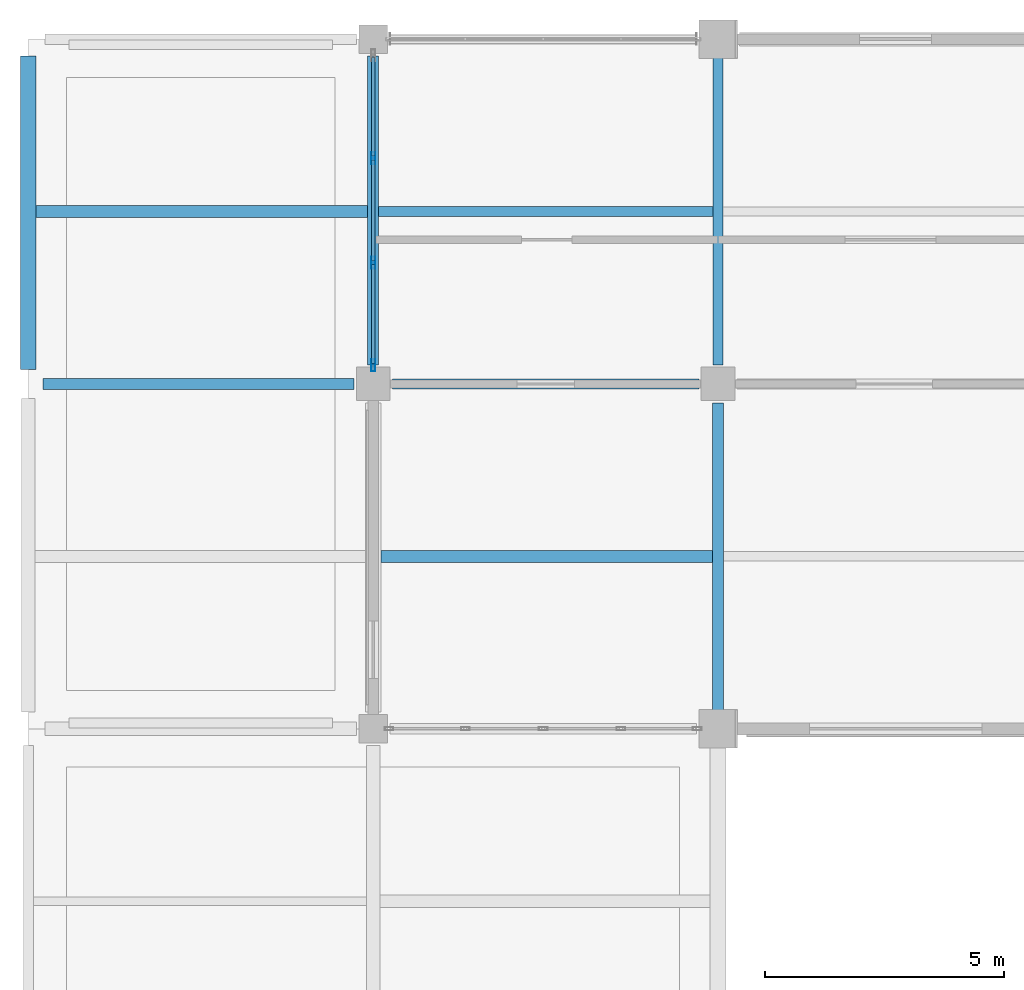
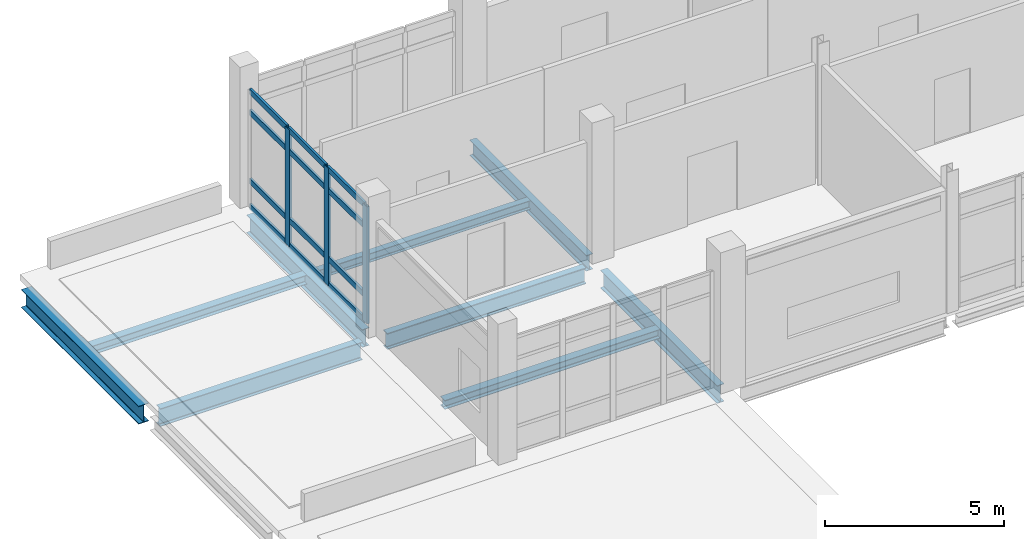
# One storey, part 82 of 186: 15 members, 9 beams, 1 element without a shape of its own.
"""IFC4 building model written with IfcOpenShell, lengths in metres."""

from ifc_helpers import new_model, si_unit, direction, frame, origin, origin_2d, place, context, subcontext, project, spatial, hollow_rectangle, i_section, extrude, material, layer, layer_set, material_profile, profile_set, type_object, element, aggregate, save


model = new_model("IFC4")

# Units and contexts
model_context = context("Model", 3, precision=1e-05, world=origin(), true_north=direction((0.0, 1.0)))
body_context = subcontext(model_context, "Body", "Model", "MODEL_VIEW")
ifc_project = project(units=[si_unit("LENGTHUNIT", "METRE"), si_unit("AREAUNIT", "SQUARE_METRE"), si_unit("VOLUMEUNIT", "CUBIC_METRE"), si_unit("PLANEANGLEUNIT", "RADIAN"), si_unit("MASSUNIT", "GRAM", prefix="KILO")], contexts=[model_context])

# Site, building, storey
site_placement = place(None, origin())
site = spatial("IfcSite", under=ifc_project, at=site_placement, CompositionType="ELEMENT")
building_placement = place(site_placement, origin())
building = spatial("IfcBuilding", under=site, at=building_placement, Name="Calvrana Isthmian Art Gallery", CompositionType="ELEMENT")
storey_placement = place(building_placement, frame((0.0, 0.0, 5.39990234375)))
storey = spatial("IfcBuildingStorey", under=building, at=storey_placement, Name="L01", CompositionType="ELEMENT", Elevation=5.39990234375)

# Beams
ifc_material_1 = material(Name="Steel ASTM A992 Gr 50", Category="steel")
ifc_material_profile_1 = material_profile(ifc_material_1, i_section(OverallWidth=0.208984375, OverallDepth=0.532958984375, WebThickness=0.01025390625, FlangeThickness=0.015625, FilletRadius=0.02099609375, at=origin_2d()), Name="W21X62")
ifc_profile_set_1 = profile_set([ifc_material_profile_1], Name="Steel ASTM A992 Gr 50")
beam_type_1 = type_object("IfcBeamType", Name="BM-G-W21X62", PredefinedType="BEAM", material=ifc_profile_set_1)
beam_1_placement = place(storey_placement, frame((14.39990234375, 106.0, -0.511474609375), z_axis=(0.0, 1.0, 0.0), x_axis=(-1.0, 0.0, 0.0)))
element("IfcBeam", 1, at=beam_1_placement, inside=storey, type_object=beam_type_1, Name="Girder Y L01 03/O-P", PredefinedType="BEAM", context=body_context, shape_type="SweptSolid", body=[
    extrude(i_section(OverallWidth=0.208984375, OverallDepth=0.532958984375, WebThickness=0.01025390625, FlangeThickness=0.015625, FilletRadius=0.02099609375, at=origin_2d()), origin(), (0.0, 0.0, 1.0), 6.5),
])
ifc_material_profile_2 = material_profile(ifc_material_1, i_section(OverallWidth=0.214111328125, OverallDepth=0.549072265625, WebThickness=0.0146484375, FlangeThickness=0.023681640625, FilletRadius=0.02099609375, at=origin_2d()), Name="W21X93")
ifc_profile_set_2 = profile_set([ifc_material_profile_2], Name="Steel ASTM A992 Gr 50")
beam_type_2 = type_object("IfcBeamType", Name="BM-G-W21X93", PredefinedType="BEAM", material=ifc_profile_set_2)
beam_2_placement = place(storey_placement, frame((7.60009765625, 105.60009765625, -0.519287109375), z_axis=(1.0, 0.0, 0.0), x_axis=(0.0, 1.0, 0.0)))
element("IfcBeam", 2, at=beam_2_placement, inside=storey, type_object=beam_type_2, Name="Girder X L01 02-03/O", PredefinedType="BEAM", context=body_context, shape_type="SweptSolid", body=[
    extrude(i_section(OverallWidth=0.214111328125, OverallDepth=0.549072265625, WebThickness=0.0146484375, FlangeThickness=0.023681640625, FilletRadius=0.02099609375, at=origin_2d()), origin(), (0.0, 0.0, 1.0), 6.39990234375),
])
ifc_material_profile_3 = material_profile(ifc_material_1, i_section(OverallWidth=0.324951171875, OverallDepth=0.612060546875, WebThickness=0.0126953125, FlangeThickness=0.01904296875, FilletRadius=0.02197265625, at=origin_2d()), Name="W24X104")
ifc_profile_set_3 = profile_set([ifc_material_profile_3], Name="Steel ASTM A992 Gr 50")
beam_type_3 = type_object("IfcBeamType", Name="BM-G-W24X104", PredefinedType="BEAM", material=ifc_profile_set_3)
beam_3_placement = place(storey_placement, frame((0.0, 105.89990234375, -0.55078125), z_axis=(0.0, 1.0, 0.0), x_axis=(-1.0, 0.0, 0.0)))
element("IfcBeam", 3, at=beam_3_placement, inside=storey, type_object=beam_type_3, Name="Girder Y L01 01/O-P", PredefinedType="BEAM", context=body_context, shape_type="SweptSolid", body=[
    extrude(i_section(OverallWidth=0.324951171875, OverallDepth=0.612060546875, WebThickness=0.0126953125, FlangeThickness=0.01904296875, FilletRadius=0.02197265625, at=origin_2d()), origin(), (0.0, 0.0, 1.0), 6.550048828125),
])
ifc_material_profile_4 = material_profile(ifc_material_1, i_section(OverallWidth=0.22802734375, OverallDepth=0.60693359375, WebThickness=0.01123046875, FlangeThickness=0.017333984375, FilletRadius=0.02197265625, at=origin_2d()), Name="W24X76")
ifc_profile_set_4 = profile_set([ifc_material_profile_4], Name="Steel ASTM A992 Gr 50")
beam_type_4 = type_object("IfcBeamType", Name="BM-G-W24X76", PredefinedType="BEAM", material=ifc_profile_set_4)
beam_4_placement = place(storey_placement, frame((0.300048828125, 105.60009765625, -0.54833984375), z_axis=(1.0, 0.0, 0.0), x_axis=(0.0, 1.0, 0.0)))
element("IfcBeam", 4, at=beam_4_placement, inside=storey, type_object=beam_type_4, Name="Girder X L01 01-02/O", PredefinedType="BEAM", context=body_context, shape_type="SweptSolid", body=[
    extrude(i_section(OverallWidth=0.22802734375, OverallDepth=0.60693359375, WebThickness=0.01123046875, FlangeThickness=0.017333984375, FilletRadius=0.02197265625, at=origin_2d()), origin(), (0.0, 0.0, 1.0), 6.5),
])
beam_5_placement = place(storey_placement, frame((7.199951171875, 106.0, -0.54833984375), z_axis=(0.0, 1.0, 0.0), x_axis=(-1.0, 0.0, 0.0)))
element("IfcBeam", 5, at=beam_5_placement, inside=storey, type_object=beam_type_4, Name="Girder Y L01 02/O-P", PredefinedType="BEAM", context=body_context, shape_type="SweptSolid", body=[
    extrude(i_section(OverallWidth=0.22802734375, OverallDepth=0.60693359375, WebThickness=0.01123046875, FlangeThickness=0.017333984375, FilletRadius=0.02197265625, at=origin_2d()), origin(), (0.0, 0.0, 1.0), 6.449951171875),
])
beam_6_placement = place(storey_placement, frame((14.39990234375, 98.699951171875, -0.54833984375), z_axis=(0.0, 1.0, 0.0), x_axis=(-1.0, 0.0, 0.0)))
element("IfcBeam", 6, at=beam_6_placement, inside=storey, type_object=beam_type_4, Name="Girder Y L01 03/N-O", PredefinedType="BEAM", context=body_context, shape_type="SweptSolid", body=[
    extrude(i_section(OverallWidth=0.22802734375, OverallDepth=0.60693359375, WebThickness=0.01123046875, FlangeThickness=0.017333984375, FilletRadius=0.02197265625, at=origin_2d()), origin(), (0.0, 0.0, 1.0), 6.5),
])
ifc_material_profile_5 = material_profile(ifc_material_1, i_section(OverallWidth=0.202880859375, OverallDepth=0.302001953125, WebThickness=0.007568359375, FlangeThickness=0.01318359375, FilletRadius=0.01611328125, at=origin_2d()), Name="W12X40")
ifc_profile_set_5 = profile_set([ifc_material_profile_5], Name="Steel ASTM A992 Gr 50")
beam_type_5 = type_object("IfcBeamType", Name="BM-J-W12X40", PredefinedType="JOIST", material=ifc_profile_set_5)
beam_7_placement = place(storey_placement, frame((7.31396484375, 109.199951171875, -0.39599609375), z_axis=(1.0, 0.0, 0.0), x_axis=(0.0, 1.0, 0.0)))
element("IfcBeam", 7, at=beam_7_placement, inside=storey, type_object=beam_type_5, Name="Composite joist L01 bay 01-14", PredefinedType="JOIST", context=body_context, shape_type="SweptSolid", body=[
    extrude(i_section(OverallWidth=0.202880859375, OverallDepth=0.302001953125, WebThickness=0.007568359375, FlangeThickness=0.01318359375, FilletRadius=0.01611328125, at=origin_2d()), origin(), (0.0, 0.0, 1.0), 6.9814453125),
])
ifc_material_profile_6 = material_profile(ifc_material_1, i_section(OverallWidth=0.25390625, OverallDepth=0.306884765625, WebThickness=0.0087890625, FlangeThickness=0.0146484375, FilletRadius=0.01611328125, at=origin_2d()), Name="W12X53")
ifc_profile_set_6 = profile_set([ifc_material_profile_6], Name="Steel ASTM A992 Gr 50")
beam_type_6 = type_object("IfcBeamType", Name="BM-J-W12X53", PredefinedType="JOIST", material=ifc_profile_set_6)
for number, where, z_axis, x_axis, name in (
    (8, (0.16259765625, 109.199951171875, -0.3984375), (1.0, 0.0, 0.0), (0.0, 1.0, 0.0), "Composite joist L01 bay 00-14"),
    (9, (7.362548828125, 102.0, -0.3984375), (1.0, 0.0, 0.0), (0.0, 1.0, 0.0), "Composite joist L01 bay 01-13"),
):
    element("IfcBeam", number, at=place(storey_placement, frame(where, z_axis=z_axis, x_axis=x_axis)), inside=storey, type_object=beam_type_6, Name=name, PredefinedType="JOIST", context=body_context, shape_type="SweptSolid", body=[
        extrude(i_section(OverallWidth=0.25390625, OverallDepth=0.306884765625, WebThickness=0.0087890625, FlangeThickness=0.0146484375, FilletRadius=0.01611328125, at=origin_2d()), origin(), (0.0, 0.0, 1.0), 6.92333984375),
    ])

# Curtain wall, members
ifc_material_2 = material(Name="Anodized bronze aluminium 6063-T6", Category="aluminium")
ifc_layer = layer(ifc_material_2, 0.179931640625, Name="Anodized bronze aluminium 6063-T6")
ifc_layer_set = layer_set([ifc_layer], Name="Anodized bronze aluminium 6063-T6")
curtain_wall_type = type_object("IfcCurtainWallType", Name="CW-STICK-065X40", PredefinedType="NOTDEFINED", material=ifc_layer_set)
curtain_wall_placement = place(storey_placement, origin())
curtain_wall = element("IfcCurtainWall", 10, at=curtain_wall_placement, inside=storey, type_object=curtain_wall_type, Name="Curtain wall CW-119", PredefinedType="NOTDEFINED")
ifc_material_profile_7 = material_profile(ifc_material_2, hollow_rectangle(XDim=0.080078125, YDim=0.25, WallThickness=0.005615234375, at=origin_2d()), Name="CWM80X250")
ifc_profile_set_7 = profile_set([ifc_material_profile_7], Name="Anodized bronze aluminium 6063-T6")
member_type_1 = type_object("IfcMemberType", Name="CWM-CWM80X250", PredefinedType="MULLION", material=ifc_profile_set_7)
member_1_placement = place(storey_placement, frame((7.199951171875, 105.989990234375, 0.0), z_axis=(0.0, 0.0, 1.0), x_axis=(-1.0, 0.0, 0.0)))
member_1 = element("IfcMember", 11, at=member_1_placement, type_object=member_type_1, Name="CW-119 mullion 1", PredefinedType="MULLION", context=body_context, shape_type="SweptSolid", body=[
    extrude(hollow_rectangle(XDim=0.080078125, YDim=0.25, WallThickness=0.005615234375, at=origin_2d()), origin(), (0.0, 0.0, 1.0), 3.987060546875),
])
member_2_placement = place(storey_placement, frame((7.199951171875, 108.13330078125, 0.0), z_axis=(0.0, 0.0, 1.0), x_axis=(-1.0, 0.0, 0.0)))
member_2 = element("IfcMember", 12, at=member_2_placement, type_object=member_type_1, Name="CW-119 mullion 2", PredefinedType="MULLION", context=body_context, shape_type="SweptSolid", body=[
    extrude(hollow_rectangle(XDim=0.080078125, YDim=0.25, WallThickness=0.005615234375, at=origin_2d()), origin(), (0.0, 0.0, 1.0), 3.987060546875),
])
member_3_placement = place(storey_placement, frame((7.199951171875, 110.316650390625, 0.0), z_axis=(0.0, 0.0, 1.0), x_axis=(-1.0, 0.0, 0.0)))
member_3 = element("IfcMember", 13, at=member_3_placement, type_object=member_type_1, Name="CW-119 mullion 3", PredefinedType="MULLION", context=body_context, shape_type="SweptSolid", body=[
    extrude(hollow_rectangle(XDim=0.080078125, YDim=0.25, WallThickness=0.005615234375, at=origin_2d()), origin(), (0.0, 0.0, 1.0), 3.987060546875),
])
ifc_material_profile_8 = material_profile(ifc_material_2, hollow_rectangle(XDim=0.074951171875, YDim=0.18994140625, WallThickness=0.00439453125, at=origin_2d()), Name="CWT75X190")
ifc_profile_set_8 = profile_set([ifc_material_profile_8], Name="Anodized bronze aluminium 6063-T6")
member_type_2 = type_object("IfcMemberType", Name="CWT-CWT75X190", PredefinedType="USERDEFINED", material=ifc_profile_set_8)
member_4_placement = place(storey_placement, frame((7.199951171875, 106.030029296875, 0.03759765625), z_axis=(0.0, 1.0, 0.0), x_axis=(-1.0, 0.0, 0.0)))
member_4 = element("IfcMember", 14, at=member_4_placement, type_object=member_type_2, Name="CW-119 transom 1.1", ObjectType="TRANSOM", PredefinedType="USERDEFINED", context=body_context, shape_type="SweptSolid", body=[
    extrude(hollow_rectangle(XDim=0.074951171875, YDim=0.18994140625, WallThickness=0.00439453125, at=origin_2d()), origin(), (0.0, 0.0, 1.0), 2.063232421875),
])
member_5_placement = place(storey_placement, frame((7.199951171875, 106.030029296875, 0.900146484375), z_axis=(0.0, 1.0, 0.0), x_axis=(-1.0, 0.0, 0.0)))
member_5 = element("IfcMember", 15, at=member_5_placement, type_object=member_type_2, Name="CW-119 transom 1.2", ObjectType="TRANSOM", PredefinedType="USERDEFINED", context=body_context, shape_type="SweptSolid", body=[
    extrude(hollow_rectangle(XDim=0.074951171875, YDim=0.18994140625, WallThickness=0.00439453125, at=origin_2d()), origin(), (0.0, 0.0, 1.0), 2.063232421875),
])
member_6_placement = place(storey_placement, frame((7.199951171875, 106.030029296875, 3.237060546875), z_axis=(0.0, 1.0, 0.0), x_axis=(-1.0, 0.0, 0.0)))
member_6 = element("IfcMember", 16, at=member_6_placement, type_object=member_type_2, Name="CW-119 transom 1.3", ObjectType="TRANSOM", PredefinedType="USERDEFINED", context=body_context, shape_type="SweptSolid", body=[
    extrude(hollow_rectangle(XDim=0.074951171875, YDim=0.18994140625, WallThickness=0.00439453125, at=origin_2d()), origin(), (0.0, 0.0, 1.0), 2.063232421875),
])
member_7_placement = place(storey_placement, frame((7.199951171875, 106.030029296875, 3.94970703125), z_axis=(0.0, 1.0, 0.0), x_axis=(-1.0, 0.0, 0.0)))
member_7 = element("IfcMember", 17, at=member_7_placement, type_object=member_type_2, Name="CW-119 transom 1.4", ObjectType="TRANSOM", PredefinedType="USERDEFINED", context=body_context, shape_type="SweptSolid", body=[
    extrude(hollow_rectangle(XDim=0.074951171875, YDim=0.18994140625, WallThickness=0.00439453125, at=origin_2d()), origin(), (0.0, 0.0, 1.0), 2.063232421875),
])
member_8_placement = place(storey_placement, frame((7.199951171875, 108.17333984375, 0.03759765625), z_axis=(0.0, 1.0, 0.0), x_axis=(-1.0, 0.0, 0.0)))
member_8 = element("IfcMember", 18, at=member_8_placement, type_object=member_type_2, Name="CW-119 transom 2.1", ObjectType="TRANSOM", PredefinedType="USERDEFINED", context=body_context, shape_type="SweptSolid", body=[
    extrude(hollow_rectangle(XDim=0.074951171875, YDim=0.18994140625, WallThickness=0.00439453125, at=origin_2d()), origin(), (0.0, 0.0, 1.0), 2.103271484375),
])
member_9_placement = place(storey_placement, frame((7.199951171875, 108.17333984375, 0.900146484375), z_axis=(0.0, 1.0, 0.0), x_axis=(-1.0, 0.0, 0.0)))
member_9 = element("IfcMember", 19, at=member_9_placement, type_object=member_type_2, Name="CW-119 transom 2.2", ObjectType="TRANSOM", PredefinedType="USERDEFINED", context=body_context, shape_type="SweptSolid", body=[
    extrude(hollow_rectangle(XDim=0.074951171875, YDim=0.18994140625, WallThickness=0.00439453125, at=origin_2d()), origin(), (0.0, 0.0, 1.0), 2.103271484375),
])
member_10_placement = place(storey_placement, frame((7.199951171875, 108.17333984375, 3.237060546875), z_axis=(0.0, 1.0, 0.0), x_axis=(-1.0, 0.0, 0.0)))
member_10 = element("IfcMember", 20, at=member_10_placement, type_object=member_type_2, Name="CW-119 transom 2.3", ObjectType="TRANSOM", PredefinedType="USERDEFINED", context=body_context, shape_type="SweptSolid", body=[
    extrude(hollow_rectangle(XDim=0.074951171875, YDim=0.18994140625, WallThickness=0.00439453125, at=origin_2d()), origin(), (0.0, 0.0, 1.0), 2.103271484375),
])
member_11_placement = place(storey_placement, frame((7.199951171875, 108.17333984375, 3.94970703125), z_axis=(0.0, 1.0, 0.0), x_axis=(-1.0, 0.0, 0.0)))
member_11 = element("IfcMember", 21, at=member_11_placement, type_object=member_type_2, Name="CW-119 transom 2.4", ObjectType="TRANSOM", PredefinedType="USERDEFINED", context=body_context, shape_type="SweptSolid", body=[
    extrude(hollow_rectangle(XDim=0.074951171875, YDim=0.18994140625, WallThickness=0.00439453125, at=origin_2d()), origin(), (0.0, 0.0, 1.0), 2.103271484375),
])
member_12_placement = place(storey_placement, frame((7.199951171875, 110.356689453125, 0.03759765625), z_axis=(0.0, 1.0, 0.0), x_axis=(-1.0, 0.0, 0.0)))
member_12 = element("IfcMember", 22, at=member_12_placement, type_object=member_type_2, Name="CW-119 transom 3.1", ObjectType="TRANSOM", PredefinedType="USERDEFINED", context=body_context, shape_type="SweptSolid", body=[
    extrude(hollow_rectangle(XDim=0.074951171875, YDim=0.18994140625, WallThickness=0.00439453125, at=origin_2d()), origin(), (0.0, 0.0, 1.0), 2.063232421875),
])
member_13_placement = place(storey_placement, frame((7.199951171875, 110.356689453125, 0.900146484375), z_axis=(0.0, 1.0, 0.0), x_axis=(-1.0, 0.0, 0.0)))
member_13 = element("IfcMember", 23, at=member_13_placement, type_object=member_type_2, Name="CW-119 transom 3.2", ObjectType="TRANSOM", PredefinedType="USERDEFINED", context=body_context, shape_type="SweptSolid", body=[
    extrude(hollow_rectangle(XDim=0.074951171875, YDim=0.18994140625, WallThickness=0.00439453125, at=origin_2d()), origin(), (0.0, 0.0, 1.0), 2.063232421875),
])
member_14_placement = place(storey_placement, frame((7.199951171875, 110.356689453125, 3.237060546875), z_axis=(0.0, 1.0, 0.0), x_axis=(-1.0, 0.0, 0.0)))
member_14 = element("IfcMember", 24, at=member_14_placement, type_object=member_type_2, Name="CW-119 transom 3.3", ObjectType="TRANSOM", PredefinedType="USERDEFINED", context=body_context, shape_type="SweptSolid", body=[
    extrude(hollow_rectangle(XDim=0.074951171875, YDim=0.18994140625, WallThickness=0.00439453125, at=origin_2d()), origin(), (0.0, 0.0, 1.0), 2.063232421875),
])
member_15_placement = place(storey_placement, frame((7.199951171875, 110.356689453125, 3.94970703125), z_axis=(0.0, 1.0, 0.0), x_axis=(-1.0, 0.0, 0.0)))
member_15 = element("IfcMember", 25, at=member_15_placement, type_object=member_type_2, Name="CW-119 transom 3.4", ObjectType="TRANSOM", PredefinedType="USERDEFINED", context=body_context, shape_type="SweptSolid", body=[
    extrude(hollow_rectangle(XDim=0.074951171875, YDim=0.18994140625, WallThickness=0.00439453125, at=origin_2d()), origin(), (0.0, 0.0, 1.0), 2.063232421875),
])
aggregate(curtain_wall, [member_1, member_2, member_3, member_4, member_5, member_6, member_7, member_8, member_9, member_10, member_11, member_12, member_13, member_14, member_15])

save(model, "model.ifc")
